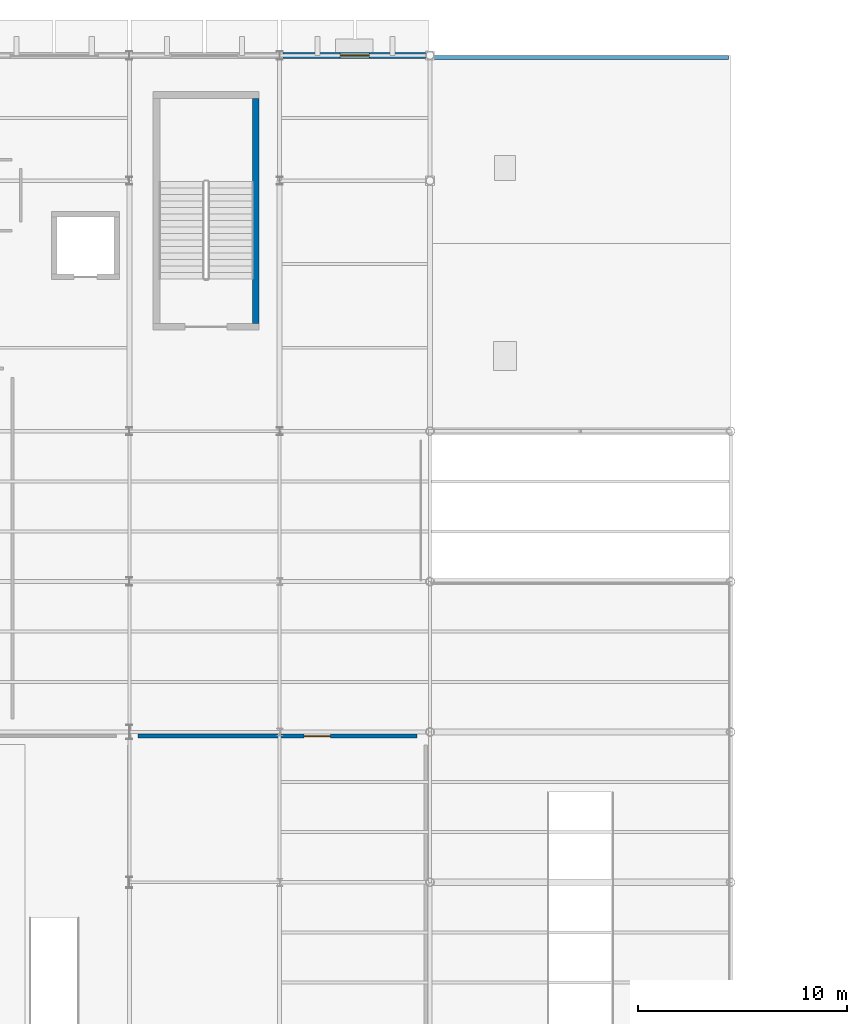
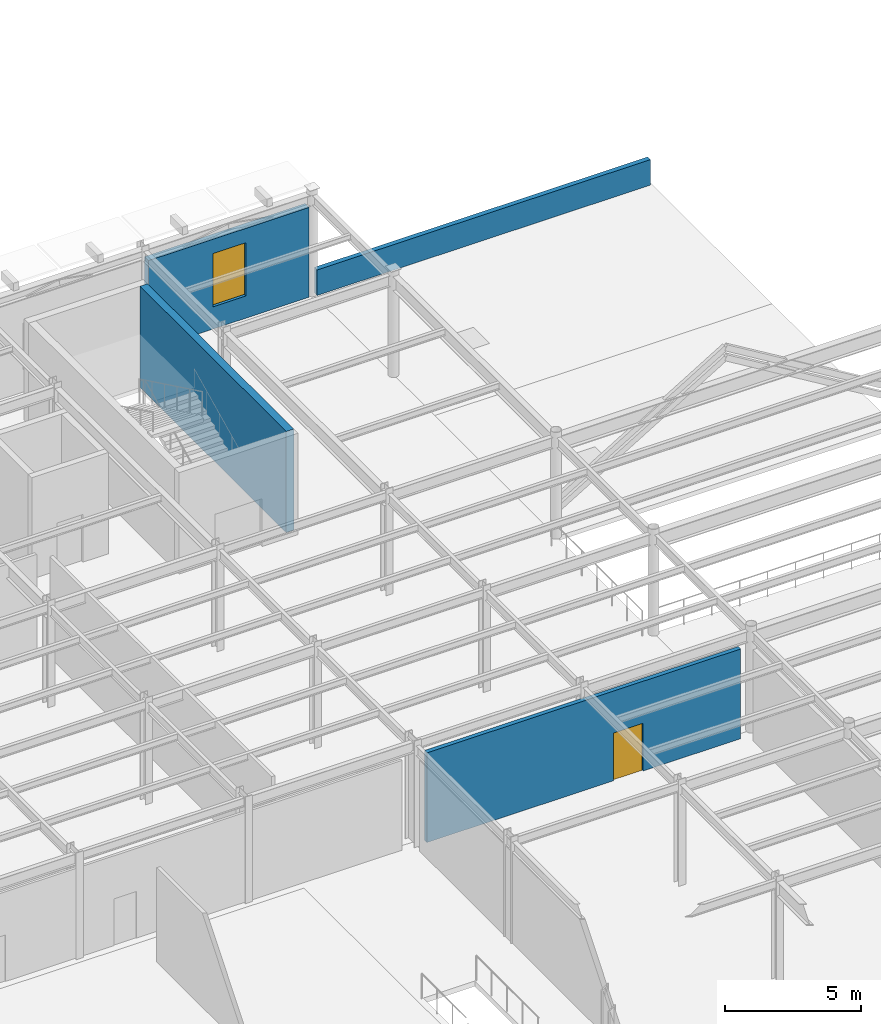
# One storey, part 108 of 126: 4 walls, 1 door, 1 window, 2 openings.
"""IFC4 building model written with IfcOpenShell, lengths in metres."""

import ifcopenshell
import ifcopenshell.guid

model = None  # the IFC model being written
_history = None  # IfcOwnerHistory: only IFC2X3 demands one
_inside = {}  # id of a spatial element -> (the spatial element, [elements in it])
_under = {}  # id of a project, library or spatial element -> (it, [spatial elements below it])
_declared = {}  # id of a project -> (the project, [libraries it declares])
_typed = {}  # id of a type object -> (the type object, [elements of that type])
_made_of = {}  # id of a material, layer set ... -> (it, [elements and type objects made of it])


def new_model(schema):
    """Start an empty IFC model of exactly this schema.

    Asked for "IFC4X3", IfcOpenShell would pick the latest addendum, in which some entities
    have other attributes; the version numbers below select the first issue.
    IFC2X3 requires an IfcOwnerHistory on every rooted entity: one is made here for all.
    """
    global model, _history
    if schema == "IFC4X3":
        model = ifcopenshell.file(schema_version=(4, 3, 0, 0))
    else:
        model = ifcopenshell.file(schema=schema)
    _inside.clear()
    _under.clear()
    _declared.clear()
    _typed.clear()
    _made_of.clear()
    _history = None
    if model.schema == "IFC2X3":
        org = make("IfcOrganization", Name="unknown")
        user = make(
            "IfcPersonAndOrganization",
            ThePerson=make("IfcPerson", FamilyName="unknown"),
            TheOrganization=org,
        )
        app = make(
            "IfcApplication",
            ApplicationDeveloper=org,
            Version="unknown",
            ApplicationFullName="unknown",
            ApplicationIdentifier="unknown",
        )
        _history = make(
            "IfcOwnerHistory",
            OwningUser=user,
            OwningApplication=app,
            ChangeAction="ADDED",
            CreationDate=0,
        )
    return model


def make(cls, **values):
    """One entity of the class cls with the attributes given. An attribute that is None is left unset."""
    return model.create_entity(
        cls, **{name: value for name, value in values.items() if value is not None}
    )


def rooted(cls, **values):
    """An entity with a GlobalId (a new one), such as an element, a storey or a relation."""
    return make(cls, GlobalId=ifcopenshell.guid.new(), OwnerHistory=_history, **values)


def si_unit(unit_type, name, prefix=None):
    """IfcSIUnit, for example si_unit("LENGTHUNIT", "METRE", prefix="MILLI")."""
    return make("IfcSIUnit", UnitType=unit_type, Prefix=prefix, Name=name)


def assignment(units):
    """IfcUnitAssignment: the units of a project."""
    return None if units is None else make("IfcUnitAssignment", Units=units)


def point(xyz):
    """IfcCartesianPoint."""
    return None if xyz is None else make("IfcCartesianPoint", Coordinates=xyz)


def direction(xyz):
    """IfcDirection."""
    return None if xyz is None else make("IfcDirection", DirectionRatios=xyz)


def frame(location, z_axis=None, x_axis=None):
    """IfcAxis2Placement3D, a coordinate frame: its origin and axes. An axis left out is left unset."""
    return make(
        "IfcAxis2Placement3D",
        Location=point(location),
        Axis=direction(z_axis),
        RefDirection=direction(x_axis),
    )


def frame_2d(location, x_axis=None):
    """IfcAxis2Placement2D, a coordinate frame in the plane: its origin and x axis."""
    return make(
        "IfcAxis2Placement2D", Location=point(location), RefDirection=direction(x_axis)
    )


def origin():
    """The frame at (0, 0, 0) with its axes left unset."""
    return frame((0.0, 0.0, 0.0))


def place(relative_to, where):
    """IfcLocalPlacement: puts the frame where relative to a parent placement (None: the world)."""
    return make(
        "IfcLocalPlacement", PlacementRelTo=relative_to, RelativePlacement=where
    )


def context(
    kind, dimensions, precision=None, world=None, true_north=None, identifier=None
):
    """IfcGeometricRepresentationContext, for example the 3D "Model" context."""
    return make(
        "IfcGeometricRepresentationContext",
        ContextIdentifier=identifier,
        ContextType=kind,
        CoordinateSpaceDimension=dimensions,
        Precision=precision,
        WorldCoordinateSystem=world,
        TrueNorth=true_north,
    )


def subcontext(parent, identifier, kind, view, scale=None):
    """IfcGeometricRepresentationSubContext, for example "Body" below "Model"."""
    return make(
        "IfcGeometricRepresentationSubContext",
        ContextIdentifier=identifier,
        ContextType=kind,
        ParentContext=parent,
        TargetScale=scale,
        TargetView=view,
    )


def project(units=None, contexts=None):
    """IfcProject with its units and contexts."""
    return rooted(
        "IfcProject",
        Name="project",
        RepresentationContexts=contexts,
        UnitsInContext=assignment(units),
    )


def spatial(cls, under=None, at=None, **own):
    """A site, building, storey or space (cls), placed at a placement, below another one or the project."""
    s = rooted(cls, ObjectPlacement=at, **own)
    if under is not None:
        _under.setdefault(under.id(), (under, []))[1].append(s)
    return s


def profile(cls, at=None, kind="AREA", **sizes):
    """A parametric profile (cls). Its sizes go by their IFC names, for example OverallWidth=200.0."""
    return make(cls, ProfileType=kind, Position=at, **sizes)


def rectangle(**sizes):
    """IfcRectangleProfileDef."""
    return profile("IfcRectangleProfileDef", **sizes)


def extrude(swept, where, along, depth):
    """IfcExtrudedAreaSolid: the profile swept, set in the frame where, extruded along a direction by depth."""
    return make(
        "IfcExtrudedAreaSolid",
        SweptArea=swept,
        Position=where,
        ExtrudedDirection=direction(along),
        Depth=depth,
    )


def shape(context_of_items, identifier, shape_type, items):
    """IfcShapeRepresentation: the items that make up one representation, for example the "Body"."""
    return make(
        "IfcShapeRepresentation",
        ContextOfItems=context_of_items,
        RepresentationIdentifier=identifier,
        RepresentationType=shape_type,
        Items=items,
    )


def material(Name=None, Category=None):
    """IfcMaterial."""
    return make("IfcMaterial", Name=Name, Category=Category)


def layer(
    of_material, thickness, ventilated=None, Name=None, Category=None, Priority=None
):
    """IfcMaterialLayer: one layer of a wall or slab, of a material (None: an air gap)."""
    return make(
        "IfcMaterialLayer",
        Material=of_material,
        LayerThickness=thickness,
        IsVentilated=ventilated,
        Name=Name,
        Category=Category,
        Priority=Priority,
    )


def layer_set(layers, Name=None):
    """IfcMaterialLayerSet."""
    return make("IfcMaterialLayerSet", MaterialLayers=layers, LayerSetName=Name)


def made_of(thing, what):
    """Note that an element or type object is made of a material, layer set ...; save() writes the relation."""
    if what is not None:
        _made_of.setdefault(what.id(), (what, []))[1].append(thing)
    return thing


def type_object(cls, material=None, **own):
    """A type object (cls), such as IfcWallType, which elements share."""
    return made_of(rooted(cls, **own), material)


def element(
    cls,
    number,
    at=None,
    inside=None,
    cuts=None,
    type_object=None,
    material=None,
    context=None,
    identifier="Body",
    shape_type=None,
    held_by="IfcProductDefinitionShape",
    body=None,
    shapes=None,
    **own,
):
    """One element of the class cls, such as IfcWall. Its Tag is "e" and its number.

    at: its placement. inside: the storey or other place that contains it. cuts: it is an
    opening in that element (IfcRelVoidsElement). A single representation is given by context,
    identifier, shape_type and body (its items); several are given by shapes. held_by: the class
    of the entity that holds the representations. save() writes the other relations.
    """
    e = rooted(cls, Tag="e%d" % number, ObjectPlacement=at, **own)
    if body is not None:
        shapes = [shape(context, identifier, shape_type, body)]
    if shapes is not None:
        e.Representation = make(held_by, Representations=shapes)
    if inside is not None:
        _inside.setdefault(inside.id(), (inside, []))[1].append(e)
    if cuts is not None:
        rooted(
            "IfcRelVoidsElement", RelatingBuildingElement=cuts, RelatedOpeningElement=e
        )
    if type_object is not None:
        _typed.setdefault(type_object.id(), (type_object, []))[1].append(e)
    return made_of(e, material)


def fill(opening, filler):
    """IfcRelFillsElement: the door or window that sits in an opening."""
    return rooted(
        "IfcRelFillsElement",
        RelatingOpeningElement=opening,
        RelatedBuildingElement=filler,
    )


def aggregate(whole, parts):
    """IfcRelAggregates: a whole, such as a stair, and the parts it consists of."""
    return rooted("IfcRelAggregates", RelatingObject=whole, RelatedObjects=parts)


def save(model, path):
    """Write the relations noted so far, then the file.

    IfcRelAggregates (storeys below a building ...), IfcRelContainedInSpatialStructure (elements
    in a storey), IfcRelDefinesByType, IfcRelAssociatesMaterial and IfcRelDeclares: one each for
    every whole, place, type object, material and project.
    """
    for whole, parts in _under.values():
        aggregate(whole, parts)
    for where, things in _inside.values():
        rooted(
            "IfcRelContainedInSpatialStructure",
            RelatedElements=things,
            RelatingStructure=where,
        )
    for kind, things in _typed.values():
        rooted("IfcRelDefinesByType", RelatedObjects=things, RelatingType=kind)
    for what, things in _made_of.values():
        rooted("IfcRelAssociatesMaterial", RelatedObjects=things, RelatingMaterial=what)
    for by, libraries in _declared.values():
        rooted("IfcRelDeclares", RelatingContext=by, RelatedDefinitions=libraries)
    model.write(path)


model = new_model("IFC4")

# Units and contexts
model_context = context("Model", 3, precision=1e-05, world=origin(), true_north=direction((0.0, 1.0)))
body_context = subcontext(model_context, "Body", "Model", "MODEL_VIEW")
ifc_project = project(units=[si_unit("LENGTHUNIT", "METRE"), si_unit("AREAUNIT", "SQUARE_METRE"), si_unit("VOLUMEUNIT", "CUBIC_METRE"), si_unit("PLANEANGLEUNIT", "RADIAN"), si_unit("MASSUNIT", "GRAM", prefix="KILO")], contexts=[model_context])

# Site, building, storey
site_placement = place(None, origin())
site = spatial("IfcSite", under=ifc_project, at=site_placement, CompositionType="ELEMENT")
building_placement = place(site_placement, origin())
building = spatial("IfcBuilding", under=site, at=building_placement, Name="Solvadek Multi-Sports Hall", CompositionType="ELEMENT")
storey_placement = place(building_placement, frame((0.0, 0.0, 9.60009765625)))
storey = spatial("IfcBuildingStorey", under=building, at=storey_placement, Name="L02", CompositionType="ELEMENT", Elevation=9.60009765625)

# Wall, opening, window
ifc_material_1 = material(Name="Dressed honey-cream limestone ashlar", Category="masonry")
ifc_layer_1 = layer(ifc_material_1, 0.300048828125, Name="Dressed honey-cream limestone ashlar")
ifc_layer_set_1 = layer_set([ifc_layer_1], Name="Dressed honey-cream limestone ashlar")
wall_type_1 = type_object("IfcWallType", Name="ENV-WAL-EXT300", PredefinedType="SOLIDWALL", material=ifc_layer_set_1)
wall_1_placement = place(storey_placement, frame((64.9541015625, 110.39990234375, 0.0), z_axis=(0.0, 0.0, 1.0), x_axis=(1.0, 0.0, 0.0)))
wall_1 = element("IfcWall", 1, at=wall_1_placement, inside=storey, type_object=wall_type_1, Name="L02 Exterior Masonry Wall #194", PredefinedType="SOLIDWALL", context=body_context, shape_type="SweptSolid", body=[
    extrude(rectangle(XDim=6.838623046875, YDim=0.300048828125, at=frame_2d((3.41943359375, 0.0))), origin(), (0.0, 0.0, 1.0), 4.044921875),
])
opening_1_placement = place(wall_1_placement, frame((2.74609375, 0.0, 1.0)))
opening_1 = element("IfcOpeningElement", 2, at=opening_1_placement, cuts=wall_1, Name="Opening WN-16", PredefinedType="OPENING", context=body_context, shape_type="SweptSolid", body=[
    extrude(rectangle(XDim=1.39990234375, YDim=2.39990234375, at=frame_2d((0.699951171875, 1.199951171875))), frame((0.0, 0.159912109375, 0.0), z_axis=(0.0, -1.0, 0.0), x_axis=(1.0, 0.0, 0.0)), (0.0, 0.0, 1.0), 0.320068359375),
])
ifc_material_2 = material(Name="Tempered laminated low-E glass", Category="glass")
window_type = type_object("IfcWindowType", Name="ENV-WIN-WN-16", PartitioningType="SINGLE_PANEL", PredefinedType="WINDOW", material=ifc_material_2)
window_placement = place(opening_1_placement, origin())
window = element("IfcWindow", 3, at=window_placement, inside=storey, type_object=window_type, Name="L02 Facade Window WN-16 #78", OverallHeight=2.39990234375, OverallWidth=1.39990234375, PartitioningType="SINGLE_PANEL", PredefinedType="WINDOW", context=body_context, shape_type="SweptSolid", body=[
    extrude(rectangle(XDim=1.39990234375, YDim=2.39990234375, at=frame_2d((0.699951171875, 1.199951171875))), frame((0.0, 0.030029296875, 0.0), z_axis=(0.0, -1.0, 0.0), x_axis=(1.0, 0.0, 0.0)), (0.0, 0.0, 1.0), 0.06005859375),
])
fill(opening_1, window)

# Wall
ifc_layer_2 = layer(ifc_material_1, 0.199951171875, Name="Dressed honey-cream limestone ashlar")
ifc_layer_set_2 = layer_set([ifc_layer_2], Name="Dressed honey-cream limestone ashlar")
wall_type_2 = type_object("IfcWallType", Name="ENV-WAL-PAR200", PredefinedType="PARAPET", material=ifc_layer_set_2)
wall_2_placement = place(storey_placement, frame((72.10009765625, 110.300048828125, 0.0), z_axis=(0.0, 0.0, 1.0), x_axis=(1.0, 0.0, 0.0)))
element("IfcWall", 4, at=wall_2_placement, inside=storey, type_object=wall_type_2, Name="L02 Roof Parapet Wall #312", PredefinedType="PARAPET", context=body_context, shape_type="SweptSolid", body=[
    extrude(rectangle(XDim=14.199951171875, YDim=0.199951171875, at=frame_2d((7.10009765625, 0.0))), origin(), (0.0, 0.0, 1.0), 1.14990234375),
])

# Wall, opening, door
ifc_material_3 = material(Name="Autoclaved aerated concrete blockwork", Category="masonry")
ifc_layer_3 = layer(ifc_material_3, 0.179931640625, Name="Autoclaved aerated concrete blockwork")
ifc_layer_set_3 = layer_set([ifc_layer_3], Name="Autoclaved aerated concrete blockwork")
wall_type_3 = type_object("IfcWallType", Name="INT-WAL-PRT180", PredefinedType="PARTITIONING", material=ifc_layer_set_3)
wall_3_placement = place(storey_placement, frame((58.02001953125, 77.800048828125, 0.0), z_axis=(0.0, 0.0, 1.0), x_axis=(1.0, 0.0, 0.0)))
wall_3 = element("IfcWall", 5, at=wall_3_placement, inside=storey, type_object=wall_type_3, Name="L02 Partition Wall L02-02 N", PredefinedType="PARTITIONING", context=body_context, shape_type="SweptSolid", body=[
    extrude(rectangle(XDim=13.35986328125, YDim=0.179931640625, at=frame_2d((6.679931640625, 0.0))), origin(), (0.0, 0.0, 1.0), 4.039794921875),
])
opening_2_placement = place(wall_3_placement, frame((7.955078125, 0.0, 0.0)))
opening_2 = element("IfcOpeningElement", 6, at=opening_2_placement, cuts=wall_3, Name="Opening FD60B", PredefinedType="OPENING", context=body_context, shape_type="SweptSolid", body=[
    extrude(rectangle(XDim=1.25, YDim=2.14990234375, at=frame_2d((0.625, 1.074951171875))), frame((0.0, 0.099853515625, 0.0), z_axis=(0.0, -1.0, 0.0), x_axis=(1.0, 0.0, 0.0)), (0.0, 0.0, 1.0), 0.199951171875),
])
ifc_material_4 = material(Name="Steel E250 (250 MPa)", Category="steel")
door_type = type_object("IfcDoorType", Name="INT-DOR-FD125X215", OperationType="NOTDEFINED", PredefinedType="DOOR", material=ifc_material_4)
door_placement = place(opening_2_placement, frame((1.25, 0.0, 0.0), z_axis=(0.0, 0.0, 1.0), x_axis=(-1.0, 0.0, 0.0)))
door = element("IfcDoor", 7, at=door_placement, inside=storey, type_object=door_type, Name="L02 L02-02 Door #49", OperationType="SINGLE_SWING_RIGHT", OverallHeight=2.14990234375, OverallWidth=1.25, PredefinedType="DOOR", context=body_context, shape_type="SweptSolid", body=[
    extrude(rectangle(XDim=1.25, YDim=2.14990234375, at=frame_2d((0.625, 1.074951171875))), frame((0.0, 0.02490234375, 0.0), z_axis=(0.0, -1.0, 0.0), x_axis=(1.0, 0.0, 0.0)), (0.0, 0.0, 1.0), 0.050048828125),
])
fill(opening_2, door)

# Wall
ifc_material_5 = material(Name="Concrete M40", Category="concrete")
ifc_layer_4 = layer(ifc_material_5, 0.320068359375, Name="Concrete M40")
ifc_layer_set_4 = layer_set([ifc_layer_4], Name="Concrete M40")
wall_type_4 = type_object("IfcWallType", Name="INT-WAL-SHR320", PredefinedType="SHEAR", material=ifc_layer_set_4)
wall_4_placement = place(storey_placement, frame((63.64990234375, 97.56005859375, 0.0), z_axis=(0.0, 0.0, 1.0), x_axis=(0.0, 1.0, 0.0)))
element("IfcWall", 8, at=wall_4_placement, inside=storey, type_object=wall_type_4, Name="L02 Stair ST-03 Shear Wall E", PredefinedType="SHEAR", context=body_context, shape_type="SweptSolid", body=[
    extrude(rectangle(XDim=10.780029296875, YDim=0.320068359375, at=frame_2d((5.39013671875, 0.0))), origin(), (0.0, 0.0, 1.0), 4.559814453125),
])

save(model, "model.ifc")
